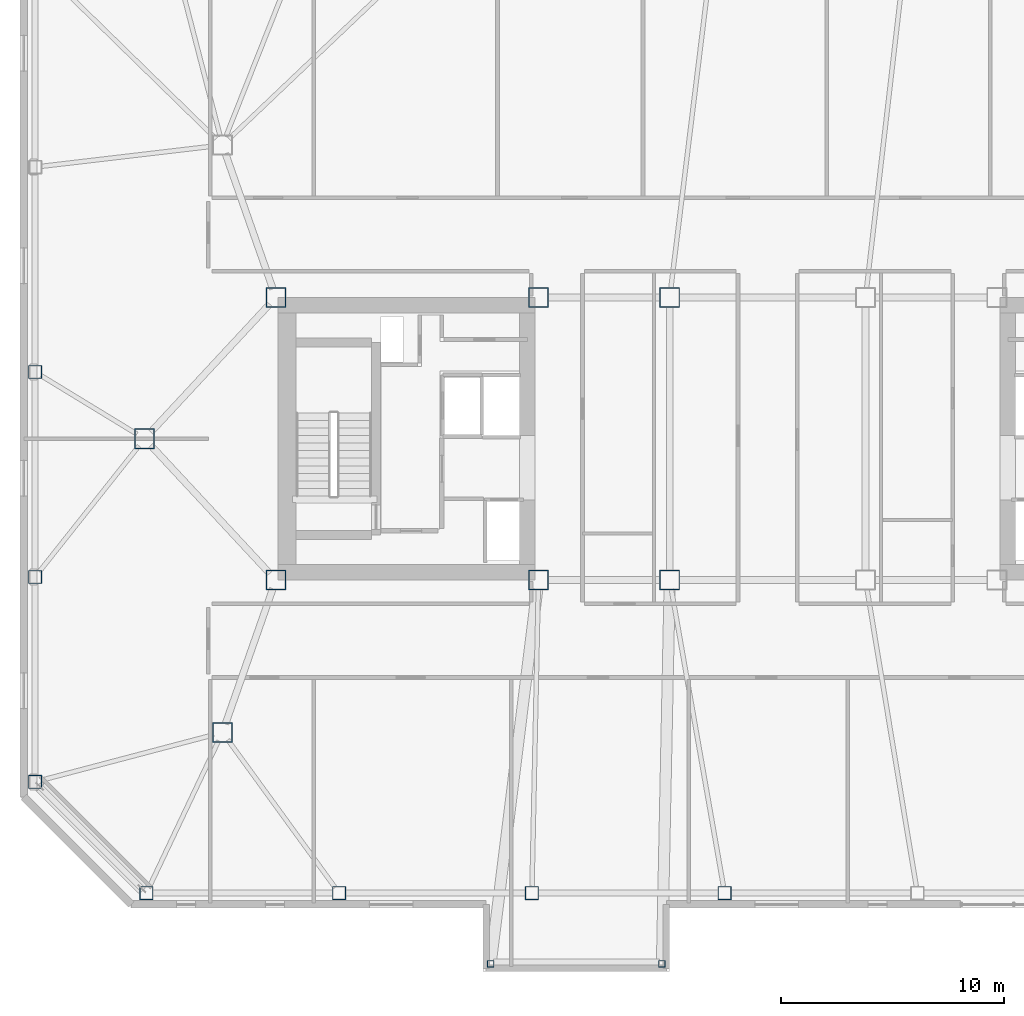
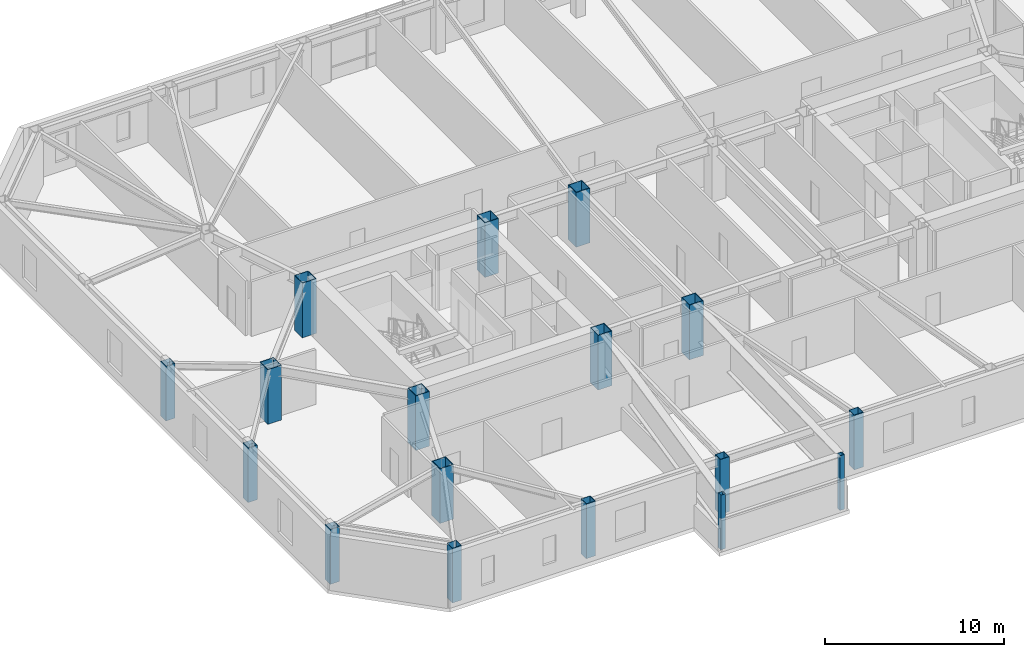
# One storey, part 1 of 17: 17 columns.
"""IFC4 building model written with IfcOpenShell, lengths in metres."""

from ifc_helpers import new_model, si_unit, direction, frame, origin, origin_2d, place, context, subcontext, project, spatial, hollow_rectangle, extrude, material, material_profile, profile_set, type_object, element, save


model = new_model("IFC4")

# Units and contexts
model_context = context("Model", 3, precision=1e-05, world=origin(), true_north=direction((0.0, 1.0)))
body_context = subcontext(model_context, "Body", "Model", "MODEL_VIEW")
ifc_project = project(units=[si_unit("LENGTHUNIT", "METRE"), si_unit("AREAUNIT", "SQUARE_METRE"), si_unit("VOLUMEUNIT", "CUBIC_METRE"), si_unit("PLANEANGLEUNIT", "RADIAN"), si_unit("MASSUNIT", "GRAM", prefix="KILO")], contexts=[model_context])

# Site, building, storey
site_placement = place(None, origin())
site = spatial("IfcSite", under=ifc_project, at=site_placement, CompositionType="ELEMENT")
building_placement = place(site_placement, origin())
building = spatial("IfcBuilding", under=site, at=building_placement, Name="Tavrogorsk Clinical Tower", CompositionType="ELEMENT")
storey_placement = place(building_placement, frame((0.0, 0.0, 160.199951171875)))
storey = spatial("IfcBuildingStorey", under=building, at=storey_placement, Name="L36", CompositionType="ELEMENT", Elevation=160.199951171875)

# Columns
ifc_material_1 = material(Name="Structural steel S390", Category="steel")
ifc_material_profile_1 = material_profile(ifc_material_1, hollow_rectangle(XDim=0.300048828125, YDim=0.300048828125, WallThickness=0.01611328125, at=origin_2d()), Name="SHS-300x300x16")
ifc_profile_set_1 = profile_set([ifc_material_profile_1], Name="Structural steel S390")
column_type_1 = type_object("IfcColumnType", Name="DayroomCol_SHS300", PredefinedType="COLUMN", material=ifc_profile_set_1)
for number, where, z_axis, x_axis, name in (
    (1, (-12.449951171875, -23.60009765625, 0.0), (0.0, 0.0, 1.0), (1.0, 0.0, 0.0), "L36 Day-Room Box Column DRB-05-L"),
    (2, (-4.75, -23.60009765625, 0.0), (0.0, 0.0, 1.0), (1.0, 0.0, 0.0), "L36 Day-Room Box Column DRB-05-R"),
):
    element("IfcColumn", number, at=place(storey_placement, frame(where, z_axis=z_axis, x_axis=x_axis)), inside=storey, type_object=column_type_1, Name=name, PredefinedType="COLUMN", context=body_context, shape_type="SweptSolid", body=[
        extrude(hollow_rectangle(XDim=0.300048828125, YDim=0.300048828125, WallThickness=0.01611328125, at=origin_2d()), origin(), (0.0, 0.0, 1.0), 3.739990234375),
    ])
ifc_material_2 = material(Name="Structural steel S440", Category="steel")
ifc_material_profile_2 = material_profile(ifc_material_2, hollow_rectangle(XDim=0.89990234375, YDim=0.89990234375, WallThickness=0.0400390625, at=origin_2d()), Name="BOX-900x900x40")
ifc_profile_set_2 = profile_set([ifc_material_profile_2], Name="Structural steel S440")
column_type_2 = type_object("IfcColumnType", Name="MegaCol_BOX900", PredefinedType="COLUMN", material=ifc_profile_set_2)
for number, where, z_axis, x_axis, name in (
    (3, (-22.10009765625, -6.35009765625, 0.0), (0.0, 0.0, 1.0), (1.0, 0.0, 0.0), "L36 Mega Column MC-W1"),
    (4, (-22.10009765625, 6.35009765625, 0.0), (0.0, 0.0, 1.0), (1.0, 0.0, 0.0), "L36 Mega Column MC-W2"),
    (5, (-10.300048828125, -6.35009765625, 0.0), (0.0, 0.0, 1.0), (1.0, 0.0, 0.0), "L36 Mega Column MC-W3"),
    (6, (-10.300048828125, 6.35009765625, 0.0), (0.0, 0.0, 1.0), (1.0, 0.0, 0.0), "L36 Mega Column MC-W4"),
    (7, (-4.39990234375, -6.35009765625, 0.0), (0.0, 0.0, 1.0), (1.0, 0.0, 0.0), "L36 Mega Column MC-C1"),
    (8, (-4.39990234375, 6.35009765625, 0.0), (0.0, 0.0, 1.0), (1.0, 0.0, 0.0), "L36 Mega Column MC-C3"),
    (9, (-24.5, -13.199951171875, 0.0), (0.0, 0.0, 1.0), (1.0, 0.0, 0.0), "L36 Spine Pilotis Column MC-P1"),
    (10, (-28.0, 0.0, 0.0), (0.0, 0.0, 1.0), (1.0, 0.0, 0.0), "L36 Spine Pilotis Column MC-P5"),
):
    element("IfcColumn", number, at=place(storey_placement, frame(where, z_axis=z_axis, x_axis=x_axis)), inside=storey, type_object=column_type_2, Name=name, PredefinedType="COLUMN", context=body_context, shape_type="SweptSolid", body=[
        extrude(hollow_rectangle(XDim=0.89990234375, YDim=0.89990234375, WallThickness=0.0400390625, at=origin_2d()), origin(), (0.0, 0.0, 1.0), 3.739990234375),
    ])
ifc_material_3 = material(Name="Structural steel S440", Category="steel")
ifc_material_profile_3 = material_profile(ifc_material_3, hollow_rectangle(XDim=0.60009765625, YDim=0.60009765625, WallThickness=0.028076171875, at=origin_2d()), Name="BOX-600x600x28")
ifc_profile_set_3 = profile_set([ifc_material_profile_3], Name="Structural steel S440")
column_type_3 = type_object("IfcColumnType", Name="PerimCol_B3_BOX600", PredefinedType="COLUMN", material=ifc_profile_set_3)
for number, where, z_axis, x_axis, name in (
    (11, (-27.919921875, -20.419921875, 0.0), (0.0, 0.0, 1.0), (1.0, 0.0, 0.0), "L36 Perimeter Column S1"),
    (12, (-19.257080078125, -20.419921875, 0.0), (0.0, 0.0, 1.0), (1.0, 0.0, 0.0), "L36 Perimeter Column S2"),
    (13, (-10.59423828125, -20.419921875, 0.0), (0.0, 0.0, 1.0), (1.0, 0.0, 0.0), "L36 Perimeter Column S3"),
    (14, (-1.931396484375, -20.419921875, 0.0), (0.0, 0.0, 1.0), (1.0, 0.0, 0.0), "L36 Perimeter Column S4"),
    (15, (-32.919921875, 3.0, 0.0), (0.0, 0.0, 1.0), (1.0, 0.0, 0.0), "L36 Perimeter Column W3"),
    (16, (-32.919921875, -6.2099609375, 0.0), (0.0, 0.0, 1.0), (1.0, 0.0, 0.0), "L36 Perimeter Column W4"),
    (17, (-32.919921875, -15.419921875, 0.0), (0.0, 0.0, 1.0), (1.0, 0.0, 0.0), "L36 Perimeter Column W5"),
):
    element("IfcColumn", number, at=place(storey_placement, frame(where, z_axis=z_axis, x_axis=x_axis)), inside=storey, type_object=column_type_3, Name=name, PredefinedType="COLUMN", context=body_context, shape_type="SweptSolid", body=[
        extrude(hollow_rectangle(XDim=0.60009765625, YDim=0.60009765625, WallThickness=0.028076171875, at=origin_2d()), origin(), (0.0, 0.0, 1.0), 3.739990234375),
    ])

save(model, "model.ifc")
